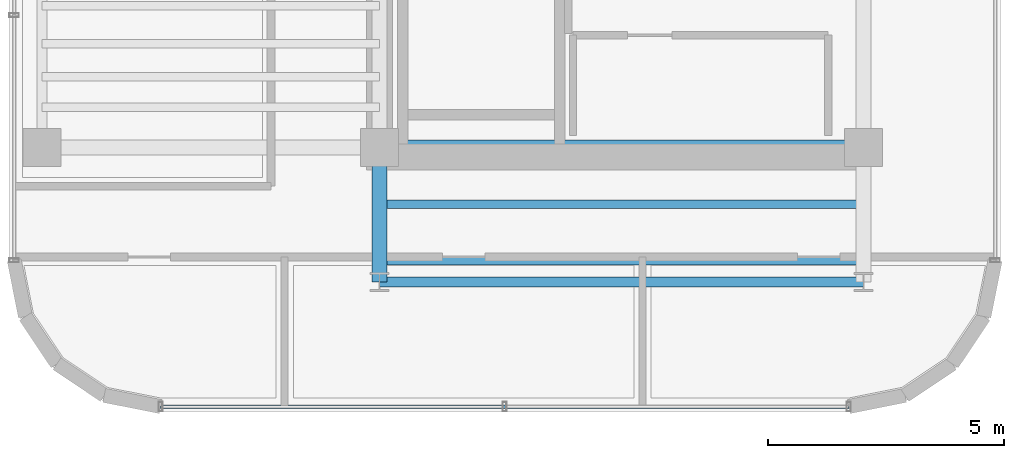
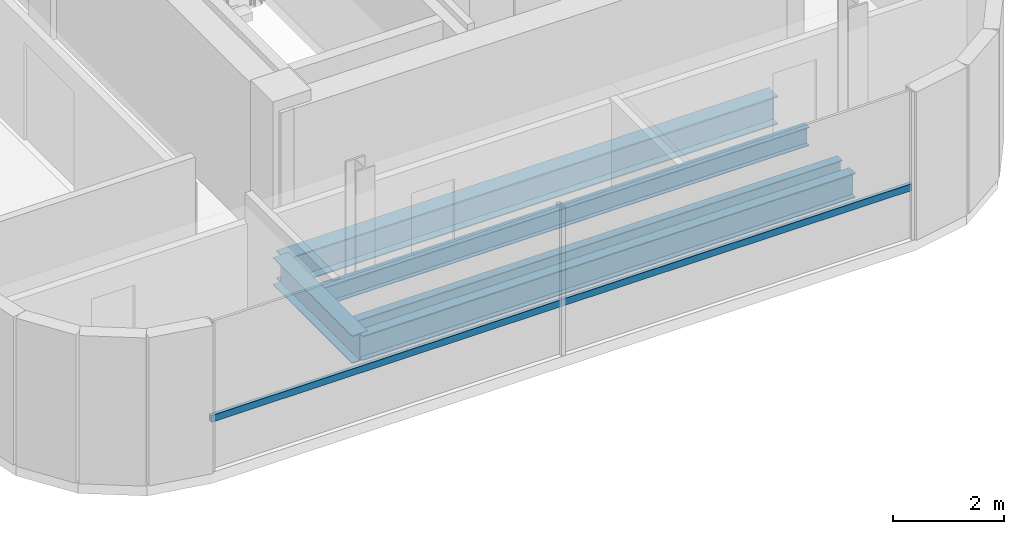
# One storey, part 3 of 18: 5 beams, 1 member, 1 element without a shape of its own.
"""IFC4 building model written with IfcOpenShell, lengths in metres."""

from ifc_helpers import new_model, si_unit, direction, frame, origin, origin_2d, place, context, subcontext, project, spatial, hollow_rectangle, i_section, extrude, source, transform, mapped, material, material_profile, profile_set, type_object, element, aggregate, save


model = new_model("IFC4")

# Units and contexts
model_context = context("Model", 3, precision=1e-05, world=origin(), true_north=direction((0.0, 1.0)))
body_context = subcontext(model_context, "Body", "Model", "MODEL_VIEW")
ifc_project = project(units=[si_unit("LENGTHUNIT", "METRE"), si_unit("AREAUNIT", "SQUARE_METRE"), si_unit("VOLUMEUNIT", "CUBIC_METRE"), si_unit("PLANEANGLEUNIT", "RADIAN"), si_unit("MASSUNIT", "GRAM", prefix="KILO")], contexts=[model_context])

# Site, building, storey
site_placement = place(None, origin())
site = spatial("IfcSite", under=ifc_project, at=site_placement, CompositionType="ELEMENT")
building_placement = place(site_placement, origin())
building = spatial("IfcBuilding", under=site, at=building_placement, Name="Valdorenza Pilgrim Sanctuary Tower", CompositionType="ELEMENT")
storey_placement = place(building_placement, frame((0.0, 0.0, 276.5)))
storey = spatial("IfcBuildingStorey", under=building, at=storey_placement, Name="L72", CompositionType="ELEMENT", Elevation=276.5)

# Beams
ifc_material_1 = material(Name="Steel ASTM A992 Grade 50", Category="steel")
ifc_material_profile_1 = material_profile(ifc_material_1, i_section(OverallWidth=0.323974609375, OverallDepth=0.611083984375, WebThickness=0.0126953125, FlangeThickness=0.01904296875, at=origin_2d()), Name="W24X104")
ifc_profile_set_1 = profile_set([ifc_material_profile_1], Name="Steel ASTM A992 Grade 50")
beam_type_1 = type_object("IfcBeamType", Name="STR-BM-GRD-W24B", PredefinedType="BEAM", material=ifc_profile_set_1)
shared_shape_1 = source(origin(), body_context, "Body", "SweptSolid", [
    extrude(i_section(OverallWidth=0.323974609375, OverallDepth=0.611083984375, WebThickness=0.0126953125, FlangeThickness=0.01904296875, at=origin_2d()), origin(), (0.0, 0.0, 1.0), 2.849853515625),
])
beam_1_placement = place(storey_placement, frame((-22.64990234375, -13.449951171875, -0.54541015625), z_axis=(0.0, 1.0, 0.0), x_axis=(-1.0, 0.0, 0.0)))
element("IfcBeam", 1, at=beam_1_placement, inside=storey, type_object=beam_type_1, Name="L72 Floor Girder WA-S-LW", PredefinedType="BEAM", context=body_context, shape_type="MappedRepresentation", body=[
    mapped(shared_shape_1, transform((0.0, 0.0, 0.0), x_axis=(1.0, 0.0, 0.0), y_axis=(0.0, 1.0, 0.0), z_axis=(0.0, 0.0, 1.0), scale=1.0)),
])
ifc_material_profile_2 = material_profile(ifc_material_1, i_section(OverallWidth=0.2109375, OverallDepth=0.5390625, WebThickness=0.01171875, FlangeThickness=0.018798828125, at=origin_2d()), Name="W21X73")
ifc_profile_set_2 = profile_set([ifc_material_profile_2], Name="Steel ASTM A992 Grade 50")
beam_type_2 = type_object("IfcBeamType", Name="STR-BM-SPN-W21B", PredefinedType="SPANDREL", material=ifc_profile_set_2)
shared_shape_2 = source(origin(), body_context, "Body", "SweptSolid", [
    extrude(i_section(OverallWidth=0.2109375, OverallDepth=0.5390625, WebThickness=0.01171875, FlangeThickness=0.018798828125, at=origin_2d()), origin(), (0.0, 0.0, 1.0), 10.25),
])
beam_2_placement = place(storey_placement, frame((-22.64990234375, -13.449951171875, -0.509521484375), z_axis=(1.0, 0.0, 0.0), x_axis=(0.0, 1.0, 0.0)))
element("IfcBeam", 2, at=beam_2_placement, inside=storey, type_object=beam_type_2, Name="L72 South Spandrel WA-S-TIE", PredefinedType="SPANDREL", context=body_context, shape_type="MappedRepresentation", body=[
    mapped(shared_shape_2, transform((0.0, 0.0, 0.0), x_axis=(1.0, 0.0, 0.0), y_axis=(0.0, 1.0, 0.0), z_axis=(0.0, 0.0, 1.0), scale=1.0)),
])
ifc_material_profile_3 = material_profile(ifc_material_1, i_section(OverallWidth=0.177978515625, OverallDepth=0.406005859375, WebThickness=0.0078125, FlangeThickness=0.0126953125, at=origin_2d()), Name="W16X40")
ifc_profile_set_3 = profile_set([ifc_material_profile_3], Name="Steel ASTM A992 Grade 50")
beam_type_3 = type_object("IfcBeamType", Name="STR-BM-JST-W16", PredefinedType="JOIST", material=ifc_profile_set_3)
shared_shape_3 = source(origin(), body_context, "Body", "SweptSolid", [
    extrude(i_section(OverallWidth=0.177978515625, OverallDepth=0.406005859375, WebThickness=0.0078125, FlangeThickness=0.0126953125, at=origin_2d()), origin(), (0.0, 0.0, 1.0), 10.25),
])
for number, where, z_axis, x_axis, name in (
    (3, (-22.64990234375, -13.0, -0.443115234375), (1.0, 0.0, 0.0), (0.0, 1.0, 0.0), "L72 Composite Floor Joist JST-WAS-1"),
    (4, (-22.64990234375, -11.800048828125, -0.443115234375), (1.0, 0.0, 0.0), (0.0, 1.0, 0.0), "L72 Composite Floor Joist JST-WAS-2"),
):
    element("IfcBeam", number, at=place(storey_placement, frame(where, z_axis=z_axis, x_axis=x_axis)), inside=storey, type_object=beam_type_3, Name=name, PredefinedType="JOIST", context=body_context, shape_type="MappedRepresentation", body=[
        mapped(shared_shape_3, transform((0.0, 0.0, 0.0), x_axis=(1.0, 0.0, 0.0), y_axis=(0.0, 1.0, 0.0), z_axis=(0.0, 0.0, 1.0), scale=1.0)),
    ])
ifc_material_profile_4 = material_profile(ifc_material_1, i_section(OverallWidth=0.326904296875, OverallDepth=0.6220703125, WebThickness=0.015380859375, FlangeThickness=0.0244140625, at=origin_2d()), Name="W24X131")
ifc_profile_set_4 = profile_set([ifc_material_profile_4], Name="Steel ASTM A992 Grade 50")
beam_type_4 = type_object("IfcBeamType", Name="STR-BM-GRD-W24A", PredefinedType="BEAM", material=ifc_profile_set_4)
shared_shape_4 = source(origin(), body_context, "Body", "SweptSolid", [
    extrude(i_section(OverallWidth=0.326904296875, OverallDepth=0.6220703125, WebThickness=0.015380859375, FlangeThickness=0.0244140625, at=origin_2d()), origin(), (0.0, 0.0, 1.0), 10.25),
])
beam_3_placement = place(storey_placement, frame((-22.64990234375, -10.60009765625, -0.551025390625), z_axis=(1.0, 0.0, 0.0), x_axis=(0.0, 1.0, 0.0)))
element("IfcBeam", 5, at=beam_3_placement, inside=storey, type_object=beam_type_4, Name="L72 Floor Girder CA-XC-S1", PredefinedType="BEAM", context=body_context, shape_type="MappedRepresentation", body=[
    mapped(shared_shape_4, transform((0.0, 0.0, 0.0), x_axis=(1.0, 0.0, 0.0), y_axis=(0.0, 1.0, 0.0), z_axis=(0.0, 0.0, 1.0), scale=1.0)),
])

# Curtain wall, member
ifc_material_2 = material(Name="Curtain-wall IGU glazing", Category="glass")
curtain_wall_type = type_object("IfcCurtainWallType", Name="CW-SYS-02", PredefinedType="NOTDEFINED", material=ifc_material_2)
curtain_wall_placement = place(storey_placement, origin())
curtain_wall = element("IfcCurtainWall", 6, at=curtain_wall_placement, inside=storey, type_object=curtain_wall_type, Name="L72 Curtain Wall CW-L72-1-26", PredefinedType="NOTDEFINED")
ifc_material_3 = material(Name="Anodised aluminium AW-6060", Category="aluminium")
ifc_material_profile_5 = material_profile(ifc_material_3, hollow_rectangle(XDim=0.074951171875, YDim=0.14990234375, WallThickness=0.00390625, at=origin_2d()), Name="ALU-T 150x75x4")
ifc_profile_set_5 = profile_set([ifc_material_profile_5], Name="Anodised aluminium AW-6060")
member_type = type_object("IfcMemberType", Name="CW-TRN-02", PredefinedType="USERDEFINED", material=ifc_profile_set_5)
shared_shape_5 = source(origin(), body_context, "Body", "SweptSolid", [
    extrude(hollow_rectangle(XDim=0.074951171875, YDim=0.14990234375, WallThickness=0.00390625, at=origin_2d()), origin(), (0.0, 0.0, 1.0), 14.57861328125),
])
member_placement = place(storey_placement, frame((-12.710693359375, -16.090087890625, 1.1201171875), z_axis=(-1.0, 0.0, 0.0), x_axis=(0.0, -1.0, 0.0)))
member = element("IfcMember", 7, at=member_placement, type_object=member_type, Name="CW-L72-1-26 Transom 1", ObjectType="TRANSOM", PredefinedType="USERDEFINED", context=body_context, shape_type="MappedRepresentation", body=[
    mapped(shared_shape_5, transform((0.0, 0.0, 0.0), x_axis=(1.0, 0.0, 0.0), y_axis=(0.0, 1.0, 0.0), z_axis=(0.0, 0.0, 1.0), scale=1.0)),
])
aggregate(curtain_wall, [member])

save(model, "model.ifc")
